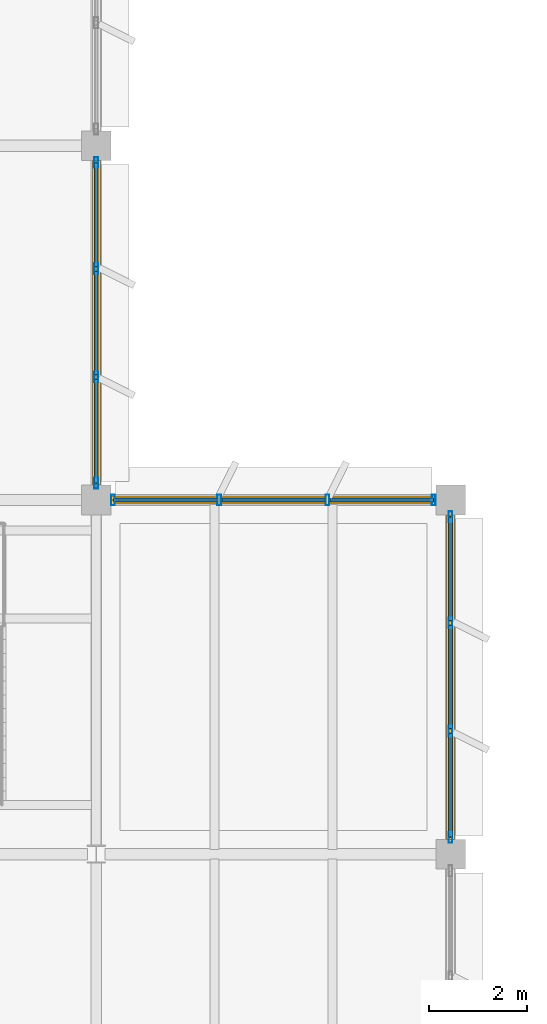
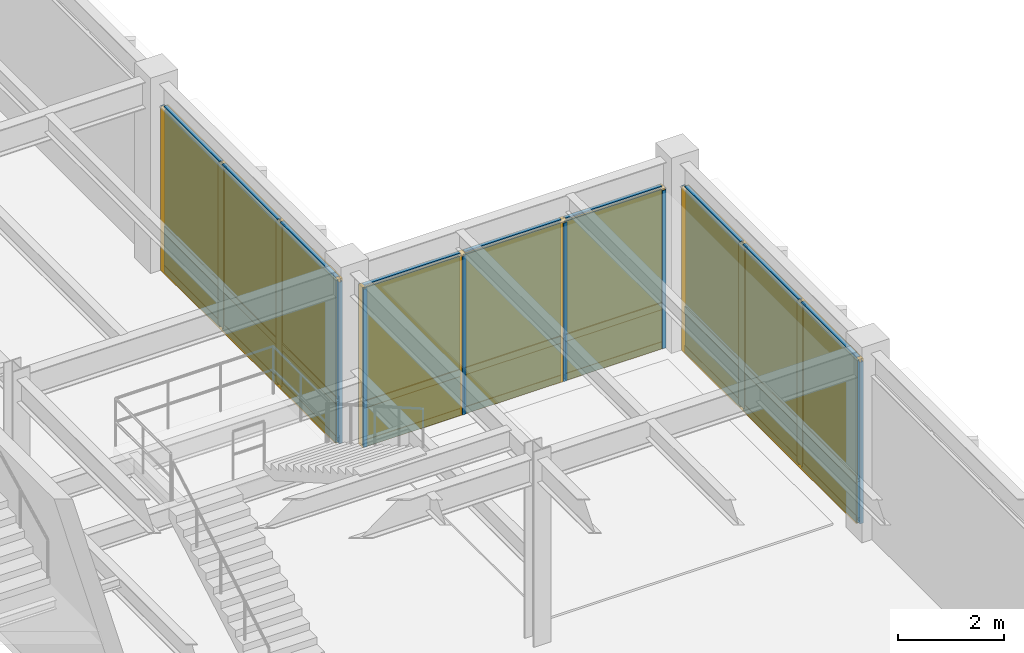
# One storey, part 73 of 92: 39 members, 18 plates, 3 curtain walls.
"""IFC4 building model written with IfcOpenShell, lengths in metres."""

import ifcopenshell
import ifcopenshell.guid

model = None  # the IFC model being written
_history = None  # IfcOwnerHistory: only IFC2X3 demands one
_inside = {}  # id of a spatial element -> (the spatial element, [elements in it])
_under = {}  # id of a project, library or spatial element -> (it, [spatial elements below it])
_declared = {}  # id of a project -> (the project, [libraries it declares])
_typed = {}  # id of a type object -> (the type object, [elements of that type])
_made_of = {}  # id of a material, layer set ... -> (it, [elements and type objects made of it])


def new_model(schema):
    """Start an empty IFC model of exactly this schema.

    Asked for "IFC4X3", IfcOpenShell would pick the latest addendum, in which some entities
    have other attributes; the version numbers below select the first issue.
    IFC2X3 requires an IfcOwnerHistory on every rooted entity: one is made here for all.
    """
    global model, _history
    if schema == "IFC4X3":
        model = ifcopenshell.file(schema_version=(4, 3, 0, 0))
    else:
        model = ifcopenshell.file(schema=schema)
    _inside.clear()
    _under.clear()
    _declared.clear()
    _typed.clear()
    _made_of.clear()
    _history = None
    if model.schema == "IFC2X3":
        org = make("IfcOrganization", Name="unknown")
        user = make(
            "IfcPersonAndOrganization",
            ThePerson=make("IfcPerson", FamilyName="unknown"),
            TheOrganization=org,
        )
        app = make(
            "IfcApplication",
            ApplicationDeveloper=org,
            Version="unknown",
            ApplicationFullName="unknown",
            ApplicationIdentifier="unknown",
        )
        _history = make(
            "IfcOwnerHistory",
            OwningUser=user,
            OwningApplication=app,
            ChangeAction="ADDED",
            CreationDate=0,
        )
    return model


def make(cls, **values):
    """One entity of the class cls with the attributes given. An attribute that is None is left unset."""
    return model.create_entity(
        cls, **{name: value for name, value in values.items() if value is not None}
    )


def rooted(cls, **values):
    """An entity with a GlobalId (a new one), such as an element, a storey or a relation."""
    return make(cls, GlobalId=ifcopenshell.guid.new(), OwnerHistory=_history, **values)


def si_unit(unit_type, name, prefix=None):
    """IfcSIUnit, for example si_unit("LENGTHUNIT", "METRE", prefix="MILLI")."""
    return make("IfcSIUnit", UnitType=unit_type, Prefix=prefix, Name=name)


def assignment(units):
    """IfcUnitAssignment: the units of a project."""
    return None if units is None else make("IfcUnitAssignment", Units=units)


def point(xyz):
    """IfcCartesianPoint."""
    return None if xyz is None else make("IfcCartesianPoint", Coordinates=xyz)


def direction(xyz):
    """IfcDirection."""
    return None if xyz is None else make("IfcDirection", DirectionRatios=xyz)


def frame(location, z_axis=None, x_axis=None):
    """IfcAxis2Placement3D, a coordinate frame: its origin and axes. An axis left out is left unset."""
    return make(
        "IfcAxis2Placement3D",
        Location=point(location),
        Axis=direction(z_axis),
        RefDirection=direction(x_axis),
    )


def frame_2d(location, x_axis=None):
    """IfcAxis2Placement2D, a coordinate frame in the plane: its origin and x axis."""
    return make(
        "IfcAxis2Placement2D", Location=point(location), RefDirection=direction(x_axis)
    )


def origin():
    """The frame at (0, 0, 0) with its axes left unset."""
    return frame((0.0, 0.0, 0.0))


def origin_2d():
    """The frame at (0, 0) in the plane with its x axis left unset."""
    return frame_2d((0.0, 0.0))


def place(relative_to, where):
    """IfcLocalPlacement: puts the frame where relative to a parent placement (None: the world)."""
    return make(
        "IfcLocalPlacement", PlacementRelTo=relative_to, RelativePlacement=where
    )


def context(
    kind, dimensions, precision=None, world=None, true_north=None, identifier=None
):
    """IfcGeometricRepresentationContext, for example the 3D "Model" context."""
    return make(
        "IfcGeometricRepresentationContext",
        ContextIdentifier=identifier,
        ContextType=kind,
        CoordinateSpaceDimension=dimensions,
        Precision=precision,
        WorldCoordinateSystem=world,
        TrueNorth=true_north,
    )


def subcontext(parent, identifier, kind, view, scale=None):
    """IfcGeometricRepresentationSubContext, for example "Body" below "Model"."""
    return make(
        "IfcGeometricRepresentationSubContext",
        ContextIdentifier=identifier,
        ContextType=kind,
        ParentContext=parent,
        TargetScale=scale,
        TargetView=view,
    )


def project(units=None, contexts=None):
    """IfcProject with its units and contexts."""
    return rooted(
        "IfcProject",
        Name="project",
        RepresentationContexts=contexts,
        UnitsInContext=assignment(units),
    )


def spatial(cls, under=None, at=None, **own):
    """A site, building, storey or space (cls), placed at a placement, below another one or the project."""
    s = rooted(cls, ObjectPlacement=at, **own)
    if under is not None:
        _under.setdefault(under.id(), (under, []))[1].append(s)
    return s


def profile(cls, at=None, kind="AREA", **sizes):
    """A parametric profile (cls). Its sizes go by their IFC names, for example OverallWidth=200.0."""
    return make(cls, ProfileType=kind, Position=at, **sizes)


def rectangle(**sizes):
    """IfcRectangleProfileDef."""
    return profile("IfcRectangleProfileDef", **sizes)


def hollow_rectangle(**sizes):
    """IfcRectangleHollowProfileDef."""
    return profile("IfcRectangleHollowProfileDef", **sizes)


def extrude(swept, where, along, depth):
    """IfcExtrudedAreaSolid: the profile swept, set in the frame where, extruded along a direction by depth."""
    return make(
        "IfcExtrudedAreaSolid",
        SweptArea=swept,
        Position=where,
        ExtrudedDirection=direction(along),
        Depth=depth,
    )


def shape(context_of_items, identifier, shape_type, items):
    """IfcShapeRepresentation: the items that make up one representation, for example the "Body"."""
    return make(
        "IfcShapeRepresentation",
        ContextOfItems=context_of_items,
        RepresentationIdentifier=identifier,
        RepresentationType=shape_type,
        Items=items,
    )


def material(Name=None, Category=None):
    """IfcMaterial."""
    return make("IfcMaterial", Name=Name, Category=Category)


def layer(
    of_material, thickness, ventilated=None, Name=None, Category=None, Priority=None
):
    """IfcMaterialLayer: one layer of a wall or slab, of a material (None: an air gap)."""
    return make(
        "IfcMaterialLayer",
        Material=of_material,
        LayerThickness=thickness,
        IsVentilated=ventilated,
        Name=Name,
        Category=Category,
        Priority=Priority,
    )


def layer_set(layers, Name=None):
    """IfcMaterialLayerSet."""
    return make("IfcMaterialLayerSet", MaterialLayers=layers, LayerSetName=Name)


def material_profile(
    of_material, cross_section, Name=None, Category=None, Priority=None
):
    """IfcMaterialProfile: a cross section and its material."""
    return make(
        "IfcMaterialProfile",
        Name=Name,
        Material=of_material,
        Profile=cross_section,
        Priority=Priority,
        Category=Category,
    )


def profile_set(profiles, Name=None, composite=None):
    """IfcMaterialProfileSet."""
    return make(
        "IfcMaterialProfileSet",
        Name=Name,
        MaterialProfiles=profiles,
        CompositeProfile=composite,
    )


def made_of(thing, what):
    """Note that an element or type object is made of a material, layer set ...; save() writes the relation."""
    if what is not None:
        _made_of.setdefault(what.id(), (what, []))[1].append(thing)
    return thing


def type_object(cls, material=None, **own):
    """A type object (cls), such as IfcWallType, which elements share."""
    return made_of(rooted(cls, **own), material)


def element(
    cls,
    number,
    at=None,
    inside=None,
    cuts=None,
    type_object=None,
    material=None,
    context=None,
    identifier="Body",
    shape_type=None,
    held_by="IfcProductDefinitionShape",
    body=None,
    shapes=None,
    **own,
):
    """One element of the class cls, such as IfcWall. Its Tag is "e" and its number.

    at: its placement. inside: the storey or other place that contains it. cuts: it is an
    opening in that element (IfcRelVoidsElement). A single representation is given by context,
    identifier, shape_type and body (its items); several are given by shapes. held_by: the class
    of the entity that holds the representations. save() writes the other relations.
    """
    e = rooted(cls, Tag="e%d" % number, ObjectPlacement=at, **own)
    if body is not None:
        shapes = [shape(context, identifier, shape_type, body)]
    if shapes is not None:
        e.Representation = make(held_by, Representations=shapes)
    if inside is not None:
        _inside.setdefault(inside.id(), (inside, []))[1].append(e)
    if cuts is not None:
        rooted(
            "IfcRelVoidsElement", RelatingBuildingElement=cuts, RelatedOpeningElement=e
        )
    if type_object is not None:
        _typed.setdefault(type_object.id(), (type_object, []))[1].append(e)
    return made_of(e, material)


def aggregate(whole, parts):
    """IfcRelAggregates: a whole, such as a stair, and the parts it consists of."""
    return rooted("IfcRelAggregates", RelatingObject=whole, RelatedObjects=parts)


def save(model, path):
    """Write the relations noted so far, then the file.

    IfcRelAggregates (storeys below a building ...), IfcRelContainedInSpatialStructure (elements
    in a storey), IfcRelDefinesByType, IfcRelAssociatesMaterial and IfcRelDeclares: one each for
    every whole, place, type object, material and project.
    """
    for whole, parts in _under.values():
        aggregate(whole, parts)
    for where, things in _inside.values():
        rooted(
            "IfcRelContainedInSpatialStructure",
            RelatedElements=things,
            RelatingStructure=where,
        )
    for kind, things in _typed.values():
        rooted("IfcRelDefinesByType", RelatedObjects=things, RelatingType=kind)
    for what, things in _made_of.values():
        rooted("IfcRelAssociatesMaterial", RelatedObjects=things, RelatingMaterial=what)
    for by, libraries in _declared.values():
        rooted("IfcRelDeclares", RelatingContext=by, RelatedDefinitions=libraries)
    model.write(path)


model = new_model("IFC4")

# Units and contexts
model_context = context("Model", 3, precision=1e-05, world=origin(), true_north=direction((0.0, 1.0)))
body_context = subcontext(model_context, "Body", "Model", "MODEL_VIEW")
ifc_project = project(units=[si_unit("LENGTHUNIT", "METRE"), si_unit("AREAUNIT", "SQUARE_METRE"), si_unit("VOLUMEUNIT", "CUBIC_METRE"), si_unit("PLANEANGLEUNIT", "RADIAN"), si_unit("MASSUNIT", "GRAM", prefix="KILO")], contexts=[model_context])

# Member
ifc_material_1 = material(Name="Anodized Aluminium 6063-T6", Category="aluminium")
ifc_material_profile_1 = material_profile(ifc_material_1, hollow_rectangle(XDim=0.074951171875, YDim=0.219970703125, WallThickness=0.0048828125, at=origin_2d()), Name="ALU 75x220x5")
ifc_profile_set_1 = profile_set([ifc_material_profile_1], Name="Anodized Aluminium 6063-T6")
member_type_1 = type_object("IfcMemberType", Name="CWM-75X180", PredefinedType="MULLION", material=ifc_profile_set_1)
site_placement = place(None, origin())
building_placement = place(site_placement, origin())
storey_placement = place(building_placement, frame((0.0, 0.0, 5.39990234375)))
member_1_placement = place(storey_placement, frame((136.800048828125, 64.4599609375, 0.02001953125), z_axis=(0.0, 0.0, 1.0), x_axis=(1.0, 0.0, 0.0)))
member_1 = element("IfcMember", 1, at=member_1_placement, type_object=member_type_1, Name="Curtain wall mullion CW-L02-18-08-E-00", PredefinedType="MULLION", context=body_context, shape_type="SweptSolid", body=[
    extrude(hollow_rectangle(XDim=0.074951171875, YDim=0.219970703125, WallThickness=0.0048828125, at=origin_2d()), origin(), (0.0, 0.0, 1.0), 3.72705078125),
])

member_2_placement = place(storey_placement, frame((136.800048828125, 62.300048828125, 0.02001953125), z_axis=(0.0, 0.0, 1.0), x_axis=(1.0, 0.0, 0.0)))
member_2 = element("IfcMember", 2, at=member_2_placement, type_object=member_type_1, Name="Curtain wall mullion CW-L02-18-08-E-01", PredefinedType="MULLION", context=body_context, shape_type="SweptSolid", body=[
    extrude(hollow_rectangle(XDim=0.074951171875, YDim=0.219970703125, WallThickness=0.0048828125, at=origin_2d()), origin(), (0.0, 0.0, 1.0), 3.72705078125),
])

member_3_placement = place(storey_placement, frame((136.800048828125, 60.10009765625, 0.02001953125), z_axis=(0.0, 0.0, 1.0), x_axis=(1.0, 0.0, 0.0)))
member_3 = element("IfcMember", 3, at=member_3_placement, type_object=member_type_1, Name="Curtain wall mullion CW-L02-18-08-E-02", PredefinedType="MULLION", context=body_context, shape_type="SweptSolid", body=[
    extrude(hollow_rectangle(XDim=0.074951171875, YDim=0.219970703125, WallThickness=0.0048828125, at=origin_2d()), origin(), (0.0, 0.0, 1.0), 3.72705078125),
])

member_4_placement = place(storey_placement, frame((136.800048828125, 57.93994140625, 0.02001953125), z_axis=(0.0, 0.0, 1.0), x_axis=(1.0, 0.0, 0.0)))
member_4 = element("IfcMember", 4, at=member_4_placement, type_object=member_type_1, Name="Curtain wall mullion CW-L02-18-08-E-03", PredefinedType="MULLION", context=body_context, shape_type="SweptSolid", body=[
    extrude(hollow_rectangle(XDim=0.074951171875, YDim=0.219970703125, WallThickness=0.0048828125, at=origin_2d()), origin(), (0.0, 0.0, 1.0), 3.72705078125),
])

member_5_placement = place(storey_placement, frame((137.139892578125, 57.60009765625, 0.02001953125), z_axis=(0.0, 0.0, 1.0), x_axis=(1.0, 0.0, 0.0)))
member_5 = element("IfcMember", 5, at=member_5_placement, type_object=member_type_1, Name="Curtain wall mullion CW-L02-19-07-N-00", PredefinedType="MULLION", context=body_context, shape_type="SweptSolid", body=[
    extrude(hollow_rectangle(XDim=0.074951171875, YDim=0.219970703125, WallThickness=0.0048828125, at=origin_2d()), origin(), (0.0, 0.0, 1.0), 3.648193359375),
])

member_6_placement = place(storey_placement, frame((139.300048828125, 57.60009765625, 0.02001953125), z_axis=(0.0, 0.0, 1.0), x_axis=(1.0, 0.0, 0.0)))
member_6 = element("IfcMember", 6, at=member_6_placement, type_object=member_type_1, Name="Curtain wall mullion CW-L02-19-07-N-01", PredefinedType="MULLION", context=body_context, shape_type="SweptSolid", body=[
    extrude(hollow_rectangle(XDim=0.074951171875, YDim=0.219970703125, WallThickness=0.0048828125, at=origin_2d()), origin(), (0.0, 0.0, 1.0), 3.648193359375),
])

member_7_placement = place(storey_placement, frame((141.5, 57.60009765625, 0.02001953125), z_axis=(0.0, 0.0, 1.0), x_axis=(1.0, 0.0, 0.0)))
member_7 = element("IfcMember", 7, at=member_7_placement, type_object=member_type_1, Name="Curtain wall mullion CW-L02-19-07-N-02", PredefinedType="MULLION", context=body_context, shape_type="SweptSolid", body=[
    extrude(hollow_rectangle(XDim=0.074951171875, YDim=0.219970703125, WallThickness=0.0048828125, at=origin_2d()), origin(), (0.0, 0.0, 1.0), 3.648193359375),
])

member_8_placement = place(storey_placement, frame((143.659912109375, 57.60009765625, 0.02001953125), z_axis=(0.0, 0.0, 1.0), x_axis=(1.0, 0.0, 0.0)))
member_8 = element("IfcMember", 8, at=member_8_placement, type_object=member_type_1, Name="Curtain wall mullion CW-L02-19-07-N-03", PredefinedType="MULLION", context=body_context, shape_type="SweptSolid", body=[
    extrude(hollow_rectangle(XDim=0.074951171875, YDim=0.219970703125, WallThickness=0.0048828125, at=origin_2d()), origin(), (0.0, 0.0, 1.0), 3.648193359375),
])

member_9_placement = place(storey_placement, frame((144.0, 57.260009765625, 0.02001953125), z_axis=(0.0, 0.0, 1.0), x_axis=(1.0, 0.0, 0.0)))
member_9 = element("IfcMember", 9, at=member_9_placement, type_object=member_type_1, Name="Curtain wall mullion CW-L02-19-07-E-00", PredefinedType="MULLION", context=body_context, shape_type="SweptSolid", body=[
    extrude(hollow_rectangle(XDim=0.074951171875, YDim=0.219970703125, WallThickness=0.0048828125, at=origin_2d()), origin(), (0.0, 0.0, 1.0), 3.72705078125),
])

member_10_placement = place(storey_placement, frame((144.0, 55.10009765625, 0.02001953125), z_axis=(0.0, 0.0, 1.0), x_axis=(1.0, 0.0, 0.0)))
member_10 = element("IfcMember", 10, at=member_10_placement, type_object=member_type_1, Name="Curtain wall mullion CW-L02-19-07-E-01", PredefinedType="MULLION", context=body_context, shape_type="SweptSolid", body=[
    extrude(hollow_rectangle(XDim=0.074951171875, YDim=0.219970703125, WallThickness=0.0048828125, at=origin_2d()), origin(), (0.0, 0.0, 1.0), 3.72705078125),
])

member_11_placement = place(storey_placement, frame((144.0, 52.89990234375, 0.02001953125), z_axis=(0.0, 0.0, 1.0), x_axis=(1.0, 0.0, 0.0)))
member_11 = element("IfcMember", 11, at=member_11_placement, type_object=member_type_1, Name="Curtain wall mullion CW-L02-19-07-E-02", PredefinedType="MULLION", context=body_context, shape_type="SweptSolid", body=[
    extrude(hollow_rectangle(XDim=0.074951171875, YDim=0.219970703125, WallThickness=0.0048828125, at=origin_2d()), origin(), (0.0, 0.0, 1.0), 3.72705078125),
])

member_12_placement = place(storey_placement, frame((144.0, 50.739990234375, 0.02001953125), z_axis=(0.0, 0.0, 1.0), x_axis=(1.0, 0.0, 0.0)))
member_12 = element("IfcMember", 12, at=member_12_placement, type_object=member_type_1, Name="Curtain wall mullion CW-L02-19-07-E-03", PredefinedType="MULLION", context=body_context, shape_type="SweptSolid", body=[
    extrude(hollow_rectangle(XDim=0.074951171875, YDim=0.219970703125, WallThickness=0.0048828125, at=origin_2d()), origin(), (0.0, 0.0, 1.0), 3.72705078125),
])

ifc_material_profile_2 = material_profile(ifc_material_1, hollow_rectangle(XDim=0.074951171875, YDim=0.159912109375, WallThickness=0.00390625, at=origin_2d()), Name="ALU 75x160x4")
ifc_profile_set_2 = profile_set([ifc_material_profile_2], Name="Anodized Aluminium 6063-T6")
member_type_2 = type_object("IfcMemberType", Name="CWT-75X150", PredefinedType="USERDEFINED", material=ifc_profile_set_2)
member_13_placement = place(storey_placement, frame((136.800048828125, 64.449951171875, 0.050048828125), z_axis=(0.0, -1.0, 0.0), x_axis=(1.0, 0.0, 0.0)))
member_13 = element("IfcMember", 13, at=member_13_placement, type_object=member_type_2, Name="Curtain wall transom CW-L02-18-08-E-1.01", ObjectType="TRANSOM", PredefinedType="USERDEFINED", context=body_context, shape_type="SweptSolid", body=[
    extrude(hollow_rectangle(XDim=0.074951171875, YDim=0.159912109375, WallThickness=0.00390625, at=origin_2d()), origin(), (0.0, 0.0, 1.0), 2.099853515625),
])

member_14_placement = place(storey_placement, frame((136.800048828125, 62.25, 0.050048828125), z_axis=(0.0, -1.0, 0.0), x_axis=(1.0, 0.0, 0.0)))
member_14 = element("IfcMember", 14, at=member_14_placement, type_object=member_type_2, Name="Curtain wall transom CW-L02-18-08-E-1.02", ObjectType="TRANSOM", PredefinedType="USERDEFINED", context=body_context, shape_type="SweptSolid", body=[
    extrude(hollow_rectangle(XDim=0.074951171875, YDim=0.159912109375, WallThickness=0.00390625, at=origin_2d()), origin(), (0.0, 0.0, 1.0), 2.10009765625),
])

member_15_placement = place(storey_placement, frame((136.800048828125, 60.050048828125, 0.050048828125), z_axis=(0.0, -1.0, 0.0), x_axis=(1.0, 0.0, 0.0)))
member_15 = element("IfcMember", 15, at=member_15_placement, type_object=member_type_2, Name="Curtain wall transom CW-L02-18-08-E-1.03", ObjectType="TRANSOM", PredefinedType="USERDEFINED", context=body_context, shape_type="SweptSolid", body=[
    extrude(hollow_rectangle(XDim=0.074951171875, YDim=0.159912109375, WallThickness=0.00390625, at=origin_2d()), origin(), (0.0, 0.0, 1.0), 2.10009765625),
])

member_16_placement = place(storey_placement, frame((136.800048828125, 64.449951171875, 0.9501953125), z_axis=(0.0, -1.0, 0.0), x_axis=(1.0, 0.0, 0.0)))
member_16 = element("IfcMember", 16, at=member_16_placement, type_object=member_type_2, Name="Curtain wall transom CW-L02-18-08-E-2.01", ObjectType="TRANSOM", PredefinedType="USERDEFINED", context=body_context, shape_type="SweptSolid", body=[
    extrude(hollow_rectangle(XDim=0.074951171875, YDim=0.159912109375, WallThickness=0.00390625, at=origin_2d()), origin(), (0.0, 0.0, 1.0), 2.099853515625),
])

member_17_placement = place(storey_placement, frame((136.800048828125, 62.25, 0.9501953125), z_axis=(0.0, -1.0, 0.0), x_axis=(1.0, 0.0, 0.0)))
member_17 = element("IfcMember", 17, at=member_17_placement, type_object=member_type_2, Name="Curtain wall transom CW-L02-18-08-E-2.02", ObjectType="TRANSOM", PredefinedType="USERDEFINED", context=body_context, shape_type="SweptSolid", body=[
    extrude(hollow_rectangle(XDim=0.074951171875, YDim=0.159912109375, WallThickness=0.00390625, at=origin_2d()), origin(), (0.0, 0.0, 1.0), 2.10009765625),
])

member_18_placement = place(storey_placement, frame((136.800048828125, 60.050048828125, 0.9501953125), z_axis=(0.0, -1.0, 0.0), x_axis=(1.0, 0.0, 0.0)))
member_18 = element("IfcMember", 18, at=member_18_placement, type_object=member_type_2, Name="Curtain wall transom CW-L02-18-08-E-2.03", ObjectType="TRANSOM", PredefinedType="USERDEFINED", context=body_context, shape_type="SweptSolid", body=[
    extrude(hollow_rectangle(XDim=0.074951171875, YDim=0.159912109375, WallThickness=0.00390625, at=origin_2d()), origin(), (0.0, 0.0, 1.0), 2.10009765625),
])

member_19_placement = place(storey_placement, frame((136.800048828125, 64.449951171875, 3.717041015625), z_axis=(0.0, -1.0, 0.0), x_axis=(1.0, 0.0, 0.0)))
member_19 = element("IfcMember", 19, at=member_19_placement, type_object=member_type_2, Name="Curtain wall transom CW-L02-18-08-E-3.01", ObjectType="TRANSOM", PredefinedType="USERDEFINED", context=body_context, shape_type="SweptSolid", body=[
    extrude(hollow_rectangle(XDim=0.074951171875, YDim=0.159912109375, WallThickness=0.00390625, at=origin_2d()), origin(), (0.0, 0.0, 1.0), 2.099853515625),
])

member_20_placement = place(storey_placement, frame((136.800048828125, 62.25, 3.717041015625), z_axis=(0.0, -1.0, 0.0), x_axis=(1.0, 0.0, 0.0)))
member_20 = element("IfcMember", 20, at=member_20_placement, type_object=member_type_2, Name="Curtain wall transom CW-L02-18-08-E-3.02", ObjectType="TRANSOM", PredefinedType="USERDEFINED", context=body_context, shape_type="SweptSolid", body=[
    extrude(hollow_rectangle(XDim=0.074951171875, YDim=0.159912109375, WallThickness=0.00390625, at=origin_2d()), origin(), (0.0, 0.0, 1.0), 2.10009765625),
])

member_21_placement = place(storey_placement, frame((136.800048828125, 60.050048828125, 3.717041015625), z_axis=(0.0, -1.0, 0.0), x_axis=(1.0, 0.0, 0.0)))
member_21 = element("IfcMember", 21, at=member_21_placement, type_object=member_type_2, Name="Curtain wall transom CW-L02-18-08-E-3.03", ObjectType="TRANSOM", PredefinedType="USERDEFINED", context=body_context, shape_type="SweptSolid", body=[
    extrude(hollow_rectangle(XDim=0.074951171875, YDim=0.159912109375, WallThickness=0.00390625, at=origin_2d()), origin(), (0.0, 0.0, 1.0), 2.10009765625),
])

member_22_placement = place(storey_placement, frame((137.14990234375, 57.60009765625, 0.050048828125), z_axis=(1.0, 0.0, 0.0), x_axis=(0.0, 1.0, 0.0)))
member_22 = element("IfcMember", 22, at=member_22_placement, type_object=member_type_2, Name="Curtain wall transom CW-L02-19-07-N-1.01", ObjectType="TRANSOM", PredefinedType="USERDEFINED", context=body_context, shape_type="SweptSolid", body=[
    extrude(hollow_rectangle(XDim=0.074951171875, YDim=0.159912109375, WallThickness=0.00390625, at=origin_2d()), origin(), (0.0, 0.0, 1.0), 2.10009765625),
])

member_23_placement = place(storey_placement, frame((139.35009765625, 57.60009765625, 0.050048828125), z_axis=(1.0, 0.0, 0.0), x_axis=(0.0, 1.0, 0.0)))
member_23 = element("IfcMember", 23, at=member_23_placement, type_object=member_type_2, Name="Curtain wall transom CW-L02-19-07-N-1.02", ObjectType="TRANSOM", PredefinedType="USERDEFINED", context=body_context, shape_type="SweptSolid", body=[
    extrude(hollow_rectangle(XDim=0.074951171875, YDim=0.159912109375, WallThickness=0.00390625, at=origin_2d()), origin(), (0.0, 0.0, 1.0), 2.099853515625),
])

member_24_placement = place(storey_placement, frame((141.550048828125, 57.60009765625, 0.050048828125), z_axis=(1.0, 0.0, 0.0), x_axis=(0.0, 1.0, 0.0)))
member_24 = element("IfcMember", 24, at=member_24_placement, type_object=member_type_2, Name="Curtain wall transom CW-L02-19-07-N-1.03", ObjectType="TRANSOM", PredefinedType="USERDEFINED", context=body_context, shape_type="SweptSolid", body=[
    extrude(hollow_rectangle(XDim=0.074951171875, YDim=0.159912109375, WallThickness=0.00390625, at=origin_2d()), origin(), (0.0, 0.0, 1.0), 2.099853515625),
])

member_25_placement = place(storey_placement, frame((137.14990234375, 57.60009765625, 0.9501953125), z_axis=(1.0, 0.0, 0.0), x_axis=(0.0, 1.0, 0.0)))
member_25 = element("IfcMember", 25, at=member_25_placement, type_object=member_type_2, Name="Curtain wall transom CW-L02-19-07-N-2.01", ObjectType="TRANSOM", PredefinedType="USERDEFINED", context=body_context, shape_type="SweptSolid", body=[
    extrude(hollow_rectangle(XDim=0.074951171875, YDim=0.159912109375, WallThickness=0.00390625, at=origin_2d()), origin(), (0.0, 0.0, 1.0), 2.10009765625),
])

member_26_placement = place(storey_placement, frame((139.35009765625, 57.60009765625, 0.9501953125), z_axis=(1.0, 0.0, 0.0), x_axis=(0.0, 1.0, 0.0)))
member_26 = element("IfcMember", 26, at=member_26_placement, type_object=member_type_2, Name="Curtain wall transom CW-L02-19-07-N-2.02", ObjectType="TRANSOM", PredefinedType="USERDEFINED", context=body_context, shape_type="SweptSolid", body=[
    extrude(hollow_rectangle(XDim=0.074951171875, YDim=0.159912109375, WallThickness=0.00390625, at=origin_2d()), origin(), (0.0, 0.0, 1.0), 2.099853515625),
])

member_27_placement = place(storey_placement, frame((141.550048828125, 57.60009765625, 0.9501953125), z_axis=(1.0, 0.0, 0.0), x_axis=(0.0, 1.0, 0.0)))
member_27 = element("IfcMember", 27, at=member_27_placement, type_object=member_type_2, Name="Curtain wall transom CW-L02-19-07-N-2.03", ObjectType="TRANSOM", PredefinedType="USERDEFINED", context=body_context, shape_type="SweptSolid", body=[
    extrude(hollow_rectangle(XDim=0.074951171875, YDim=0.159912109375, WallThickness=0.00390625, at=origin_2d()), origin(), (0.0, 0.0, 1.0), 2.099853515625),
])

member_28_placement = place(storey_placement, frame((137.14990234375, 57.60009765625, 3.63818359375), z_axis=(1.0, 0.0, 0.0), x_axis=(0.0, 1.0, 0.0)))
member_28 = element("IfcMember", 28, at=member_28_placement, type_object=member_type_2, Name="Curtain wall transom CW-L02-19-07-N-3.01", ObjectType="TRANSOM", PredefinedType="USERDEFINED", context=body_context, shape_type="SweptSolid", body=[
    extrude(hollow_rectangle(XDim=0.074951171875, YDim=0.159912109375, WallThickness=0.00390625, at=origin_2d()), origin(), (0.0, 0.0, 1.0), 2.10009765625),
])

member_29_placement = place(storey_placement, frame((139.35009765625, 57.60009765625, 3.63818359375), z_axis=(1.0, 0.0, 0.0), x_axis=(0.0, 1.0, 0.0)))
member_29 = element("IfcMember", 29, at=member_29_placement, type_object=member_type_2, Name="Curtain wall transom CW-L02-19-07-N-3.02", ObjectType="TRANSOM", PredefinedType="USERDEFINED", context=body_context, shape_type="SweptSolid", body=[
    extrude(hollow_rectangle(XDim=0.074951171875, YDim=0.159912109375, WallThickness=0.00390625, at=origin_2d()), origin(), (0.0, 0.0, 1.0), 2.099853515625),
])

member_30_placement = place(storey_placement, frame((141.550048828125, 57.60009765625, 3.63818359375), z_axis=(1.0, 0.0, 0.0), x_axis=(0.0, 1.0, 0.0)))
member_30 = element("IfcMember", 30, at=member_30_placement, type_object=member_type_2, Name="Curtain wall transom CW-L02-19-07-N-3.03", ObjectType="TRANSOM", PredefinedType="USERDEFINED", context=body_context, shape_type="SweptSolid", body=[
    extrude(hollow_rectangle(XDim=0.074951171875, YDim=0.159912109375, WallThickness=0.00390625, at=origin_2d()), origin(), (0.0, 0.0, 1.0), 2.099853515625),
])

member_31_placement = place(storey_placement, frame((144.0, 57.25, 0.050048828125), z_axis=(0.0, -1.0, 0.0), x_axis=(1.0, 0.0, 0.0)))
member_31 = element("IfcMember", 31, at=member_31_placement, type_object=member_type_2, Name="Curtain wall transom CW-L02-19-07-E-1.01", ObjectType="TRANSOM", PredefinedType="USERDEFINED", context=body_context, shape_type="SweptSolid", body=[
    extrude(hollow_rectangle(XDim=0.074951171875, YDim=0.159912109375, WallThickness=0.00390625, at=origin_2d()), origin(), (0.0, 0.0, 1.0), 2.10009765625),
])

member_32_placement = place(storey_placement, frame((144.0, 55.050048828125, 0.050048828125), z_axis=(0.0, -1.0, 0.0), x_axis=(1.0, 0.0, 0.0)))
member_32 = element("IfcMember", 32, at=member_32_placement, type_object=member_type_2, Name="Curtain wall transom CW-L02-19-07-E-1.02", ObjectType="TRANSOM", PredefinedType="USERDEFINED", context=body_context, shape_type="SweptSolid", body=[
    extrude(hollow_rectangle(XDim=0.074951171875, YDim=0.159912109375, WallThickness=0.00390625, at=origin_2d()), origin(), (0.0, 0.0, 1.0), 2.10009765625),
])

member_33_placement = place(storey_placement, frame((144.0, 52.85009765625, 0.050048828125), z_axis=(0.0, -1.0, 0.0), x_axis=(1.0, 0.0, 0.0)))
member_33 = element("IfcMember", 33, at=member_33_placement, type_object=member_type_2, Name="Curtain wall transom CW-L02-19-07-E-1.03", ObjectType="TRANSOM", PredefinedType="USERDEFINED", context=body_context, shape_type="SweptSolid", body=[
    extrude(hollow_rectangle(XDim=0.074951171875, YDim=0.159912109375, WallThickness=0.00390625, at=origin_2d()), origin(), (0.0, 0.0, 1.0), 2.10009765625),
])

member_34_placement = place(storey_placement, frame((144.0, 57.25, 0.9501953125), z_axis=(0.0, -1.0, 0.0), x_axis=(1.0, 0.0, 0.0)))
member_34 = element("IfcMember", 34, at=member_34_placement, type_object=member_type_2, Name="Curtain wall transom CW-L02-19-07-E-2.01", ObjectType="TRANSOM", PredefinedType="USERDEFINED", context=body_context, shape_type="SweptSolid", body=[
    extrude(hollow_rectangle(XDim=0.074951171875, YDim=0.159912109375, WallThickness=0.00390625, at=origin_2d()), origin(), (0.0, 0.0, 1.0), 2.10009765625),
])

member_35_placement = place(storey_placement, frame((144.0, 55.050048828125, 0.9501953125), z_axis=(0.0, -1.0, 0.0), x_axis=(1.0, 0.0, 0.0)))
member_35 = element("IfcMember", 35, at=member_35_placement, type_object=member_type_2, Name="Curtain wall transom CW-L02-19-07-E-2.02", ObjectType="TRANSOM", PredefinedType="USERDEFINED", context=body_context, shape_type="SweptSolid", body=[
    extrude(hollow_rectangle(XDim=0.074951171875, YDim=0.159912109375, WallThickness=0.00390625, at=origin_2d()), origin(), (0.0, 0.0, 1.0), 2.10009765625),
])

member_36_placement = place(storey_placement, frame((144.0, 52.85009765625, 0.9501953125), z_axis=(0.0, -1.0, 0.0), x_axis=(1.0, 0.0, 0.0)))
member_36 = element("IfcMember", 36, at=member_36_placement, type_object=member_type_2, Name="Curtain wall transom CW-L02-19-07-E-2.03", ObjectType="TRANSOM", PredefinedType="USERDEFINED", context=body_context, shape_type="SweptSolid", body=[
    extrude(hollow_rectangle(XDim=0.074951171875, YDim=0.159912109375, WallThickness=0.00390625, at=origin_2d()), origin(), (0.0, 0.0, 1.0), 2.10009765625),
])

member_37_placement = place(storey_placement, frame((144.0, 57.25, 3.717041015625), z_axis=(0.0, -1.0, 0.0), x_axis=(1.0, 0.0, 0.0)))
member_37 = element("IfcMember", 37, at=member_37_placement, type_object=member_type_2, Name="Curtain wall transom CW-L02-19-07-E-3.01", ObjectType="TRANSOM", PredefinedType="USERDEFINED", context=body_context, shape_type="SweptSolid", body=[
    extrude(hollow_rectangle(XDim=0.074951171875, YDim=0.159912109375, WallThickness=0.00390625, at=origin_2d()), origin(), (0.0, 0.0, 1.0), 2.10009765625),
])

member_38_placement = place(storey_placement, frame((144.0, 55.050048828125, 3.717041015625), z_axis=(0.0, -1.0, 0.0), x_axis=(1.0, 0.0, 0.0)))
member_38 = element("IfcMember", 38, at=member_38_placement, type_object=member_type_2, Name="Curtain wall transom CW-L02-19-07-E-3.02", ObjectType="TRANSOM", PredefinedType="USERDEFINED", context=body_context, shape_type="SweptSolid", body=[
    extrude(hollow_rectangle(XDim=0.074951171875, YDim=0.159912109375, WallThickness=0.00390625, at=origin_2d()), origin(), (0.0, 0.0, 1.0), 2.10009765625),
])

member_39_placement = place(storey_placement, frame((144.0, 52.85009765625, 3.717041015625), z_axis=(0.0, -1.0, 0.0), x_axis=(1.0, 0.0, 0.0)))
member_39 = element("IfcMember", 39, at=member_39_placement, type_object=member_type_2, Name="Curtain wall transom CW-L02-19-07-E-3.03", ObjectType="TRANSOM", PredefinedType="USERDEFINED", context=body_context, shape_type="SweptSolid", body=[
    extrude(hollow_rectangle(XDim=0.074951171875, YDim=0.159912109375, WallThickness=0.00390625, at=origin_2d()), origin(), (0.0, 0.0, 1.0), 2.10009765625),
])

# Plate
ifc_material_2 = material(Name="Acoustic Laminated Low-E Glazing", Category="glass")
ifc_layer_1 = layer(ifc_material_2, 0.0439453125)
ifc_layer_set_1 = layer_set([ifc_layer_1], Name="Acoustic Laminated Low-E Glazing")
plate_type_1 = type_object("IfcPlateType", Name="CWP-IGU-44", PredefinedType="CURTAIN_PANEL", material=ifc_layer_set_1)
plate_1_placement = place(storey_placement, frame((136.800048828125, 63.39990234375, 0.990234375), z_axis=(0.0, 0.0, 1.0), x_axis=(0.0, -1.0, 0.0)))
plate_1 = element("IfcPlate", 40, at=plate_1_placement, type_object=plate_type_1, Name="Curtain wall vision glazing CW-L02-18-08-E-01", PredefinedType="CURTAIN_PANEL", context=body_context, shape_type="SweptSolid", body=[
    extrude(rectangle(XDim=2.110107421875, YDim=0.0400390625, at=origin_2d()), origin(), (0.0, 0.0, 1.0), 2.717041015625),
])

plate_2_placement = place(storey_placement, frame((136.800048828125, 61.199951171875, 0.990234375), z_axis=(0.0, 0.0, 1.0), x_axis=(0.0, -1.0, 0.0)))
plate_2 = element("IfcPlate", 41, at=plate_2_placement, type_object=plate_type_1, Name="Curtain wall vision glazing CW-L02-18-08-E-02", PredefinedType="CURTAIN_PANEL", context=body_context, shape_type="SweptSolid", body=[
    extrude(rectangle(XDim=2.110107421875, YDim=0.0400390625, at=origin_2d()), origin(), (0.0, 0.0, 1.0), 2.717041015625),
])

plate_3_placement = place(storey_placement, frame((136.800048828125, 59.0, 0.990234375), z_axis=(0.0, 0.0, 1.0), x_axis=(0.0, -1.0, 0.0)))
plate_3 = element("IfcPlate", 42, at=plate_3_placement, type_object=plate_type_1, Name="Curtain wall vision glazing CW-L02-18-08-E-03", PredefinedType="CURTAIN_PANEL", context=body_context, shape_type="SweptSolid", body=[
    extrude(rectangle(XDim=2.110107421875, YDim=0.0400390625, at=origin_2d()), origin(), (0.0, 0.0, 1.0), 2.717041015625),
])

plate_4_placement = place(storey_placement, frame((138.199951171875, 57.60009765625, 0.990234375), z_axis=(0.0, 0.0, 1.0), x_axis=(1.0, 0.0, 0.0)))
plate_4 = element("IfcPlate", 43, at=plate_4_placement, type_object=plate_type_1, Name="Curtain wall vision glazing CW-L02-19-07-N-01", PredefinedType="CURTAIN_PANEL", context=body_context, shape_type="SweptSolid", body=[
    extrude(rectangle(XDim=2.110107421875, YDim=0.0400390625, at=origin_2d()), origin(), (0.0, 0.0, 1.0), 2.637939453125),
])

plate_5_placement = place(storey_placement, frame((140.39990234375, 57.60009765625, 0.990234375), z_axis=(0.0, 0.0, 1.0), x_axis=(1.0, 0.0, 0.0)))
plate_5 = element("IfcPlate", 44, at=plate_5_placement, type_object=plate_type_1, Name="Curtain wall vision glazing CW-L02-19-07-N-02", PredefinedType="CURTAIN_PANEL", context=body_context, shape_type="SweptSolid", body=[
    extrude(rectangle(XDim=2.110107421875, YDim=0.0400390625, at=origin_2d()), origin(), (0.0, 0.0, 1.0), 2.637939453125),
])

plate_6_placement = place(storey_placement, frame((142.60009765625, 57.60009765625, 0.990234375), z_axis=(0.0, 0.0, 1.0), x_axis=(1.0, 0.0, 0.0)))
plate_6 = element("IfcPlate", 45, at=plate_6_placement, type_object=plate_type_1, Name="Curtain wall vision glazing CW-L02-19-07-N-03", PredefinedType="CURTAIN_PANEL", context=body_context, shape_type="SweptSolid", body=[
    extrude(rectangle(XDim=2.110107421875, YDim=0.0400390625, at=origin_2d()), origin(), (0.0, 0.0, 1.0), 2.637939453125),
])

plate_7_placement = place(storey_placement, frame((144.0, 56.199951171875, 0.990234375), z_axis=(0.0, 0.0, 1.0), x_axis=(0.0, -1.0, 0.0)))
plate_7 = element("IfcPlate", 46, at=plate_7_placement, type_object=plate_type_1, Name="Curtain wall vision glazing CW-L02-19-07-E-01", PredefinedType="CURTAIN_PANEL", context=body_context, shape_type="SweptSolid", body=[
    extrude(rectangle(XDim=2.110107421875, YDim=0.0400390625, at=origin_2d()), origin(), (0.0, 0.0, 1.0), 2.717041015625),
])

plate_8_placement = place(storey_placement, frame((144.0, 54.0, 0.990234375), z_axis=(0.0, 0.0, 1.0), x_axis=(0.0, -1.0, 0.0)))
plate_8 = element("IfcPlate", 47, at=plate_8_placement, type_object=plate_type_1, Name="Curtain wall vision glazing CW-L02-19-07-E-02", PredefinedType="CURTAIN_PANEL", context=body_context, shape_type="SweptSolid", body=[
    extrude(rectangle(XDim=2.110107421875, YDim=0.0400390625, at=origin_2d()), origin(), (0.0, 0.0, 1.0), 2.717041015625),
])

plate_9_placement = place(storey_placement, frame((144.0, 51.800048828125, 0.990234375), z_axis=(0.0, 0.0, 1.0), x_axis=(0.0, -1.0, 0.0)))
plate_9 = element("IfcPlate", 48, at=plate_9_placement, type_object=plate_type_1, Name="Curtain wall vision glazing CW-L02-19-07-E-03", PredefinedType="CURTAIN_PANEL", context=body_context, shape_type="SweptSolid", body=[
    extrude(rectangle(XDim=2.110107421875, YDim=0.0400390625, at=origin_2d()), origin(), (0.0, 0.0, 1.0), 2.717041015625),
])

ifc_material_3 = material(Name="Insulated Stone-Composite Spandrel", Category="masonry")
ifc_layer_2 = layer(ifc_material_3, 0.068115234375)
ifc_layer_set_2 = layer_set([ifc_layer_2], Name="Insulated Stone-Composite Spandrel")
plate_type_2 = type_object("IfcPlateType", Name="CWP-SPN-68", PredefinedType="CURTAIN_PANEL", material=ifc_layer_set_2)
plate_10_placement = place(storey_placement, frame((136.800048828125, 63.39990234375, 0.080078125), z_axis=(0.0, 0.0, 1.0), x_axis=(0.0, -1.0, 0.0)))
plate_10 = element("IfcPlate", 49, at=plate_10_placement, type_object=plate_type_2, Name="Curtain wall spandrel panel CW-L02-18-08-E-01", PredefinedType="CURTAIN_PANEL", context=body_context, shape_type="SweptSolid", body=[
    extrude(rectangle(XDim=2.110107421875, YDim=0.06005859375, at=origin_2d()), origin(), (0.0, 0.0, 1.0), 0.840087890625),
])

plate_11_placement = place(storey_placement, frame((136.800048828125, 61.199951171875, 0.080078125), z_axis=(0.0, 0.0, 1.0), x_axis=(0.0, -1.0, 0.0)))
plate_11 = element("IfcPlate", 50, at=plate_11_placement, type_object=plate_type_2, Name="Curtain wall spandrel panel CW-L02-18-08-E-02", PredefinedType="CURTAIN_PANEL", context=body_context, shape_type="SweptSolid", body=[
    extrude(rectangle(XDim=2.110107421875, YDim=0.06005859375, at=origin_2d()), origin(), (0.0, 0.0, 1.0), 0.840087890625),
])

plate_12_placement = place(storey_placement, frame((136.800048828125, 59.0, 0.080078125), z_axis=(0.0, 0.0, 1.0), x_axis=(0.0, -1.0, 0.0)))
plate_12 = element("IfcPlate", 51, at=plate_12_placement, type_object=plate_type_2, Name="Curtain wall spandrel panel CW-L02-18-08-E-03", PredefinedType="CURTAIN_PANEL", context=body_context, shape_type="SweptSolid", body=[
    extrude(rectangle(XDim=2.110107421875, YDim=0.06005859375, at=origin_2d()), origin(), (0.0, 0.0, 1.0), 0.840087890625),
])

plate_13_placement = place(storey_placement, frame((138.199951171875, 57.60009765625, 0.080078125), z_axis=(0.0, 0.0, 1.0), x_axis=(1.0, 0.0, 0.0)))
plate_13 = element("IfcPlate", 52, at=plate_13_placement, type_object=plate_type_2, Name="Curtain wall spandrel panel CW-L02-19-07-N-01", PredefinedType="CURTAIN_PANEL", context=body_context, shape_type="SweptSolid", body=[
    extrude(rectangle(XDim=2.110107421875, YDim=0.06005859375, at=origin_2d()), origin(), (0.0, 0.0, 1.0), 0.840087890625),
])

plate_14_placement = place(storey_placement, frame((140.39990234375, 57.60009765625, 0.080078125), z_axis=(0.0, 0.0, 1.0), x_axis=(1.0, 0.0, 0.0)))
plate_14 = element("IfcPlate", 53, at=plate_14_placement, type_object=plate_type_2, Name="Curtain wall spandrel panel CW-L02-19-07-N-02", PredefinedType="CURTAIN_PANEL", context=body_context, shape_type="SweptSolid", body=[
    extrude(rectangle(XDim=2.110107421875, YDim=0.06005859375, at=origin_2d()), origin(), (0.0, 0.0, 1.0), 0.840087890625),
])

plate_15_placement = place(storey_placement, frame((142.60009765625, 57.60009765625, 0.080078125), z_axis=(0.0, 0.0, 1.0), x_axis=(1.0, 0.0, 0.0)))
plate_15 = element("IfcPlate", 54, at=plate_15_placement, type_object=plate_type_2, Name="Curtain wall spandrel panel CW-L02-19-07-N-03", PredefinedType="CURTAIN_PANEL", context=body_context, shape_type="SweptSolid", body=[
    extrude(rectangle(XDim=2.110107421875, YDim=0.06005859375, at=origin_2d()), origin(), (0.0, 0.0, 1.0), 0.840087890625),
])

plate_16_placement = place(storey_placement, frame((144.0, 56.199951171875, 0.080078125), z_axis=(0.0, 0.0, 1.0), x_axis=(0.0, -1.0, 0.0)))
plate_16 = element("IfcPlate", 55, at=plate_16_placement, type_object=plate_type_2, Name="Curtain wall spandrel panel CW-L02-19-07-E-01", PredefinedType="CURTAIN_PANEL", context=body_context, shape_type="SweptSolid", body=[
    extrude(rectangle(XDim=2.110107421875, YDim=0.06005859375, at=origin_2d()), origin(), (0.0, 0.0, 1.0), 0.840087890625),
])

plate_17_placement = place(storey_placement, frame((144.0, 54.0, 0.080078125), z_axis=(0.0, 0.0, 1.0), x_axis=(0.0, -1.0, 0.0)))
plate_17 = element("IfcPlate", 56, at=plate_17_placement, type_object=plate_type_2, Name="Curtain wall spandrel panel CW-L02-19-07-E-02", PredefinedType="CURTAIN_PANEL", context=body_context, shape_type="SweptSolid", body=[
    extrude(rectangle(XDim=2.110107421875, YDim=0.06005859375, at=origin_2d()), origin(), (0.0, 0.0, 1.0), 0.840087890625),
])

plate_18_placement = place(storey_placement, frame((144.0, 51.800048828125, 0.080078125), z_axis=(0.0, 0.0, 1.0), x_axis=(0.0, -1.0, 0.0)))
plate_18 = element("IfcPlate", 57, at=plate_18_placement, type_object=plate_type_2, Name="Curtain wall spandrel panel CW-L02-19-07-E-03", PredefinedType="CURTAIN_PANEL", context=body_context, shape_type="SweptSolid", body=[
    extrude(rectangle(XDim=2.110107421875, YDim=0.06005859375, at=origin_2d()), origin(), (0.0, 0.0, 1.0), 0.840087890625),
])

# Site, building, storey
site = spatial("IfcSite", under=ifc_project, at=site_placement, CompositionType="ELEMENT")
building = spatial("IfcBuilding", under=site, at=building_placement, Name="Sillqori Civic Hall", CompositionType="ELEMENT")
storey = spatial("IfcBuildingStorey", under=building, at=storey_placement, Name="L02", CompositionType="ELEMENT", Elevation=5.39990234375)

# Curtain wall
ifc_material_4 = material(Name="Anodized Aluminium Curtain Wall System", Category="aluminium")
curtain_wall_type = type_object("IfcCurtainWallType", Name="CW-GL-430", PredefinedType="NOTDEFINED", material=ifc_material_4)
curtain_wall_1_placement = place(storey_placement, frame((136.800048828125, 61.199951171875, 0.0), z_axis=(0.0, 0.0, 1.0), x_axis=(0.0, -1.0, 0.0)))
curtain_wall_1 = element("IfcCurtainWall", 58, at=curtain_wall_1_placement, inside=storey, type_object=curtain_wall_type, Name="L02 unitised curtain wall CW-L02-18-08-E", PredefinedType="NOTDEFINED", context=body_context, shape_type="SweptSolid", body=[
    extrude(rectangle(XDim=6.60009765625, YDim=0.159912109375, at=origin_2d()), origin(), (0.0, 0.0, 1.0), 3.76708984375),
])

aggregate(curtain_wall_1, [member_1, member_2, member_3, member_4, member_13, member_14, member_15, member_16, member_17, member_18, member_19, member_20, member_21, plate_10, plate_1, plate_11, plate_2, plate_12, plate_3])

curtain_wall_2_placement = place(storey_placement, frame((140.39990234375, 57.60009765625, 0.0), z_axis=(0.0, 0.0, 1.0), x_axis=(1.0, 0.0, 0.0)))
curtain_wall_2 = element("IfcCurtainWall", 59, at=curtain_wall_2_placement, inside=storey, type_object=curtain_wall_type, Name="L02 unitised curtain wall CW-L02-19-07-N", PredefinedType="NOTDEFINED", context=body_context, shape_type="SweptSolid", body=[
    extrude(rectangle(XDim=6.60009765625, YDim=0.159912109375, at=origin_2d()), origin(), (0.0, 0.0, 1.0), 3.68798828125),
])

aggregate(curtain_wall_2, [member_5, member_6, member_7, member_8, member_22, member_23, member_24, member_25, member_26, member_27, member_28, member_29, member_30, plate_13, plate_4, plate_14, plate_5, plate_15, plate_6])

curtain_wall_3_placement = place(storey_placement, frame((144.0, 54.0, 0.0), z_axis=(0.0, 0.0, 1.0), x_axis=(0.0, -1.0, 0.0)))
curtain_wall_3 = element("IfcCurtainWall", 60, at=curtain_wall_3_placement, inside=storey, type_object=curtain_wall_type, Name="L02 unitised curtain wall CW-L02-19-07-E", PredefinedType="NOTDEFINED", context=body_context, shape_type="SweptSolid", body=[
    extrude(rectangle(XDim=6.60009765625, YDim=0.159912109375, at=origin_2d()), origin(), (0.0, 0.0, 1.0), 3.76708984375),
])

aggregate(curtain_wall_3, [member_9, member_10, member_11, member_12, member_31, member_32, member_33, member_34, member_35, member_36, member_37, member_38, member_39, plate_16, plate_7, plate_17, plate_8, plate_18, plate_9])

save(model, "model.ifc")
